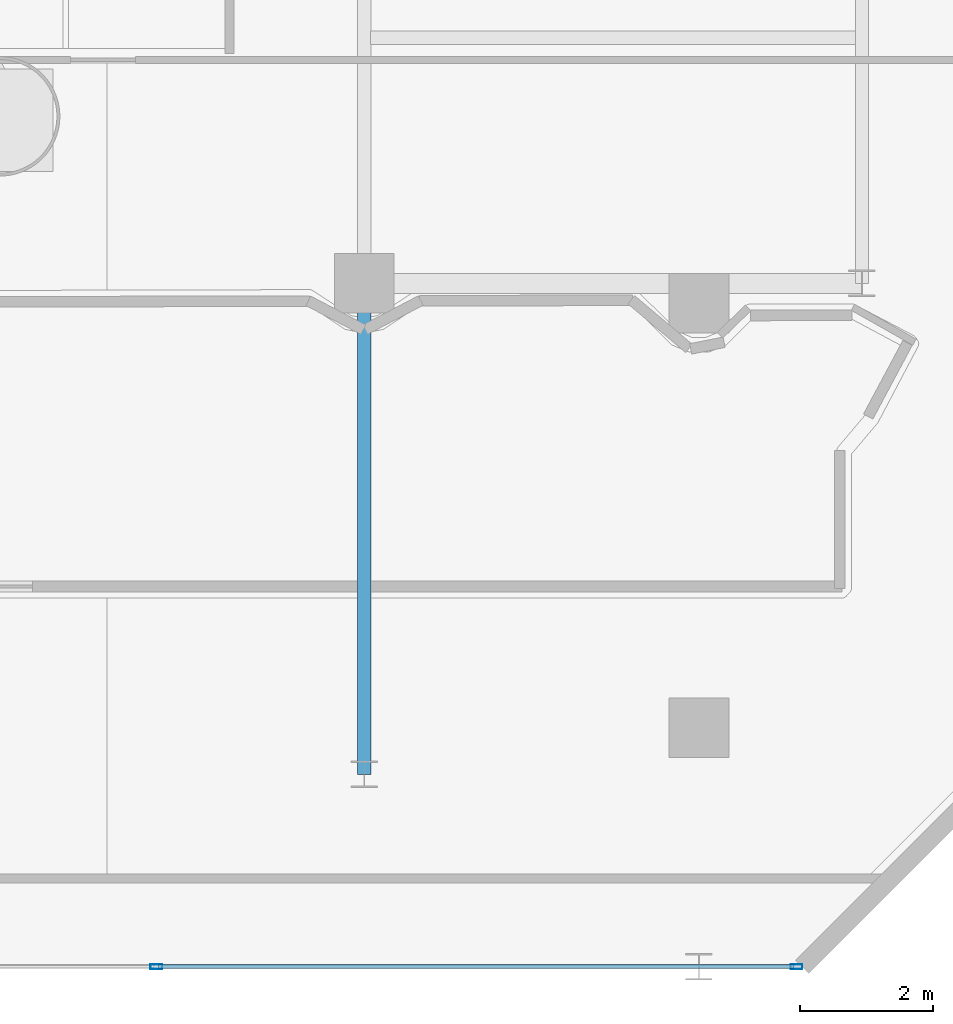
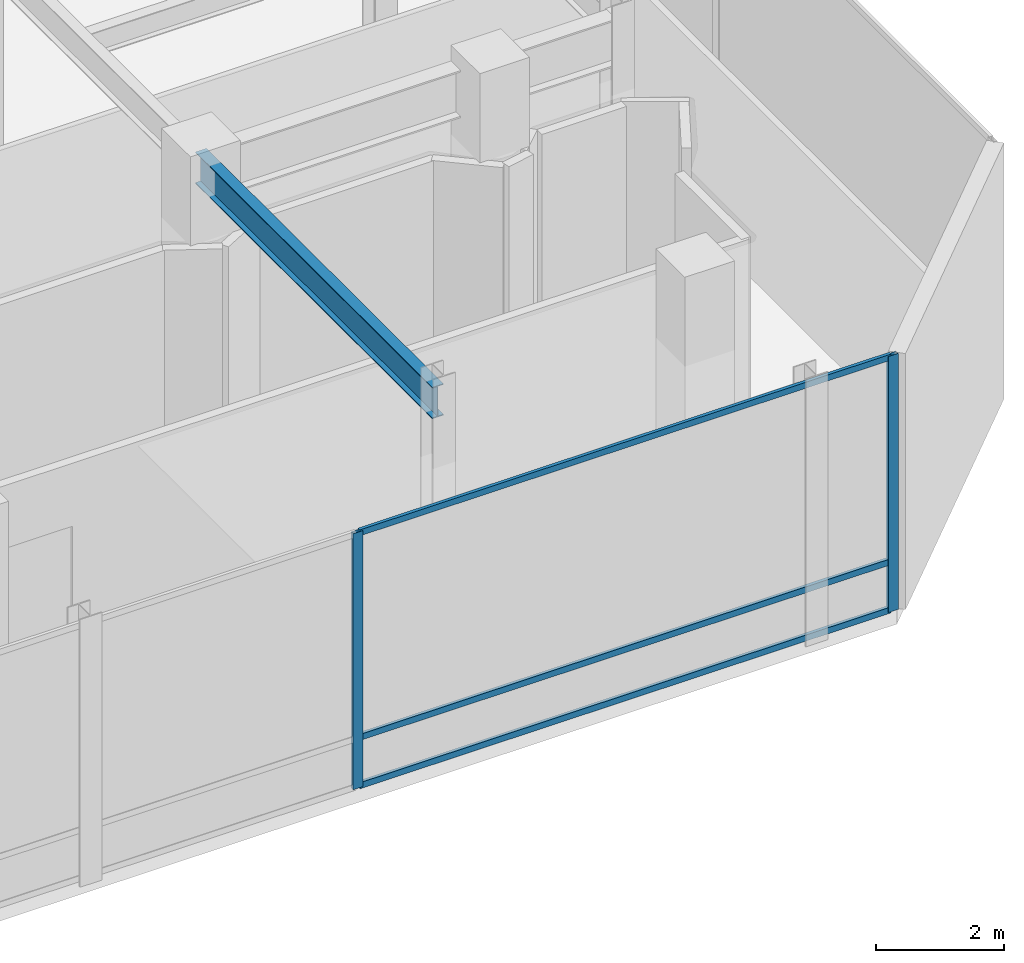
# One storey, part 15 of 40: 5 members, 1 beam, 1 element without a shape of its own.
"""IFC4 building model written with IfcOpenShell, lengths in metres."""

import ifcopenshell
import ifcopenshell.guid

model = None  # the IFC model being written
_history = None  # IfcOwnerHistory: only IFC2X3 demands one
_inside = {}  # id of a spatial element -> (the spatial element, [elements in it])
_under = {}  # id of a project, library or spatial element -> (it, [spatial elements below it])
_declared = {}  # id of a project -> (the project, [libraries it declares])
_typed = {}  # id of a type object -> (the type object, [elements of that type])
_made_of = {}  # id of a material, layer set ... -> (it, [elements and type objects made of it])


def new_model(schema):
    """Start an empty IFC model of exactly this schema.

    Asked for "IFC4X3", IfcOpenShell would pick the latest addendum, in which some entities
    have other attributes; the version numbers below select the first issue.
    IFC2X3 requires an IfcOwnerHistory on every rooted entity: one is made here for all.
    """
    global model, _history
    if schema == "IFC4X3":
        model = ifcopenshell.file(schema_version=(4, 3, 0, 0))
    else:
        model = ifcopenshell.file(schema=schema)
    _inside.clear()
    _under.clear()
    _declared.clear()
    _typed.clear()
    _made_of.clear()
    _history = None
    if model.schema == "IFC2X3":
        org = make("IfcOrganization", Name="unknown")
        user = make(
            "IfcPersonAndOrganization",
            ThePerson=make("IfcPerson", FamilyName="unknown"),
            TheOrganization=org,
        )
        app = make(
            "IfcApplication",
            ApplicationDeveloper=org,
            Version="unknown",
            ApplicationFullName="unknown",
            ApplicationIdentifier="unknown",
        )
        _history = make(
            "IfcOwnerHistory",
            OwningUser=user,
            OwningApplication=app,
            ChangeAction="ADDED",
            CreationDate=0,
        )
    return model


def make(cls, **values):
    """One entity of the class cls with the attributes given. An attribute that is None is left unset."""
    return model.create_entity(
        cls, **{name: value for name, value in values.items() if value is not None}
    )


def rooted(cls, **values):
    """An entity with a GlobalId (a new one), such as an element, a storey or a relation."""
    return make(cls, GlobalId=ifcopenshell.guid.new(), OwnerHistory=_history, **values)


def si_unit(unit_type, name, prefix=None):
    """IfcSIUnit, for example si_unit("LENGTHUNIT", "METRE", prefix="MILLI")."""
    return make("IfcSIUnit", UnitType=unit_type, Prefix=prefix, Name=name)


def assignment(units):
    """IfcUnitAssignment: the units of a project."""
    return None if units is None else make("IfcUnitAssignment", Units=units)


def point(xyz):
    """IfcCartesianPoint."""
    return None if xyz is None else make("IfcCartesianPoint", Coordinates=xyz)


def direction(xyz):
    """IfcDirection."""
    return None if xyz is None else make("IfcDirection", DirectionRatios=xyz)


def frame(location, z_axis=None, x_axis=None):
    """IfcAxis2Placement3D, a coordinate frame: its origin and axes. An axis left out is left unset."""
    return make(
        "IfcAxis2Placement3D",
        Location=point(location),
        Axis=direction(z_axis),
        RefDirection=direction(x_axis),
    )


def frame_2d(location, x_axis=None):
    """IfcAxis2Placement2D, a coordinate frame in the plane: its origin and x axis."""
    return make(
        "IfcAxis2Placement2D", Location=point(location), RefDirection=direction(x_axis)
    )


def origin():
    """The frame at (0, 0, 0) with its axes left unset."""
    return frame((0.0, 0.0, 0.0))


def origin_2d():
    """The frame at (0, 0) in the plane with its x axis left unset."""
    return frame_2d((0.0, 0.0))


def place(relative_to, where):
    """IfcLocalPlacement: puts the frame where relative to a parent placement (None: the world)."""
    return make(
        "IfcLocalPlacement", PlacementRelTo=relative_to, RelativePlacement=where
    )


def context(
    kind, dimensions, precision=None, world=None, true_north=None, identifier=None
):
    """IfcGeometricRepresentationContext, for example the 3D "Model" context."""
    return make(
        "IfcGeometricRepresentationContext",
        ContextIdentifier=identifier,
        ContextType=kind,
        CoordinateSpaceDimension=dimensions,
        Precision=precision,
        WorldCoordinateSystem=world,
        TrueNorth=true_north,
    )


def subcontext(parent, identifier, kind, view, scale=None):
    """IfcGeometricRepresentationSubContext, for example "Body" below "Model"."""
    return make(
        "IfcGeometricRepresentationSubContext",
        ContextIdentifier=identifier,
        ContextType=kind,
        ParentContext=parent,
        TargetScale=scale,
        TargetView=view,
    )


def project(units=None, contexts=None):
    """IfcProject with its units and contexts."""
    return rooted(
        "IfcProject",
        Name="project",
        RepresentationContexts=contexts,
        UnitsInContext=assignment(units),
    )


def spatial(cls, under=None, at=None, **own):
    """A site, building, storey or space (cls), placed at a placement, below another one or the project."""
    s = rooted(cls, ObjectPlacement=at, **own)
    if under is not None:
        _under.setdefault(under.id(), (under, []))[1].append(s)
    return s


def profile(cls, at=None, kind="AREA", **sizes):
    """A parametric profile (cls). Its sizes go by their IFC names, for example OverallWidth=200.0."""
    return make(cls, ProfileType=kind, Position=at, **sizes)


def hollow_rectangle(**sizes):
    """IfcRectangleHollowProfileDef."""
    return profile("IfcRectangleHollowProfileDef", **sizes)


def i_section(**sizes):
    """IfcIShapeProfileDef."""
    return profile("IfcIShapeProfileDef", **sizes)


def extrude(swept, where, along, depth):
    """IfcExtrudedAreaSolid: the profile swept, set in the frame where, extruded along a direction by depth."""
    return make(
        "IfcExtrudedAreaSolid",
        SweptArea=swept,
        Position=where,
        ExtrudedDirection=direction(along),
        Depth=depth,
    )


def shape(context_of_items, identifier, shape_type, items):
    """IfcShapeRepresentation: the items that make up one representation, for example the "Body"."""
    return make(
        "IfcShapeRepresentation",
        ContextOfItems=context_of_items,
        RepresentationIdentifier=identifier,
        RepresentationType=shape_type,
        Items=items,
    )


def material(Name=None, Category=None):
    """IfcMaterial."""
    return make("IfcMaterial", Name=Name, Category=Category)


def layer(
    of_material, thickness, ventilated=None, Name=None, Category=None, Priority=None
):
    """IfcMaterialLayer: one layer of a wall or slab, of a material (None: an air gap)."""
    return make(
        "IfcMaterialLayer",
        Material=of_material,
        LayerThickness=thickness,
        IsVentilated=ventilated,
        Name=Name,
        Category=Category,
        Priority=Priority,
    )


def layer_set(layers, Name=None):
    """IfcMaterialLayerSet."""
    return make("IfcMaterialLayerSet", MaterialLayers=layers, LayerSetName=Name)


def material_profile(
    of_material, cross_section, Name=None, Category=None, Priority=None
):
    """IfcMaterialProfile: a cross section and its material."""
    return make(
        "IfcMaterialProfile",
        Name=Name,
        Material=of_material,
        Profile=cross_section,
        Priority=Priority,
        Category=Category,
    )


def profile_set(profiles, Name=None, composite=None):
    """IfcMaterialProfileSet."""
    return make(
        "IfcMaterialProfileSet",
        Name=Name,
        MaterialProfiles=profiles,
        CompositeProfile=composite,
    )


def made_of(thing, what):
    """Note that an element or type object is made of a material, layer set ...; save() writes the relation."""
    if what is not None:
        _made_of.setdefault(what.id(), (what, []))[1].append(thing)
    return thing


def type_object(cls, material=None, **own):
    """A type object (cls), such as IfcWallType, which elements share."""
    return made_of(rooted(cls, **own), material)


def element(
    cls,
    number,
    at=None,
    inside=None,
    cuts=None,
    type_object=None,
    material=None,
    context=None,
    identifier="Body",
    shape_type=None,
    held_by="IfcProductDefinitionShape",
    body=None,
    shapes=None,
    **own,
):
    """One element of the class cls, such as IfcWall. Its Tag is "e" and its number.

    at: its placement. inside: the storey or other place that contains it. cuts: it is an
    opening in that element (IfcRelVoidsElement). A single representation is given by context,
    identifier, shape_type and body (its items); several are given by shapes. held_by: the class
    of the entity that holds the representations. save() writes the other relations.
    """
    e = rooted(cls, Tag="e%d" % number, ObjectPlacement=at, **own)
    if body is not None:
        shapes = [shape(context, identifier, shape_type, body)]
    if shapes is not None:
        e.Representation = make(held_by, Representations=shapes)
    if inside is not None:
        _inside.setdefault(inside.id(), (inside, []))[1].append(e)
    if cuts is not None:
        rooted(
            "IfcRelVoidsElement", RelatingBuildingElement=cuts, RelatedOpeningElement=e
        )
    if type_object is not None:
        _typed.setdefault(type_object.id(), (type_object, []))[1].append(e)
    return made_of(e, material)


def aggregate(whole, parts):
    """IfcRelAggregates: a whole, such as a stair, and the parts it consists of."""
    return rooted("IfcRelAggregates", RelatingObject=whole, RelatedObjects=parts)


def save(model, path):
    """Write the relations noted so far, then the file.

    IfcRelAggregates (storeys below a building ...), IfcRelContainedInSpatialStructure (elements
    in a storey), IfcRelDefinesByType, IfcRelAssociatesMaterial and IfcRelDeclares: one each for
    every whole, place, type object, material and project.
    """
    for whole, parts in _under.values():
        aggregate(whole, parts)
    for where, things in _inside.values():
        rooted(
            "IfcRelContainedInSpatialStructure",
            RelatedElements=things,
            RelatingStructure=where,
        )
    for kind, things in _typed.values():
        rooted("IfcRelDefinesByType", RelatedObjects=things, RelatingType=kind)
    for what, things in _made_of.values():
        rooted("IfcRelAssociatesMaterial", RelatedObjects=things, RelatingMaterial=what)
    for by, libraries in _declared.values():
        rooted("IfcRelDeclares", RelatingContext=by, RelatedDefinitions=libraries)
    model.write(path)


model = new_model("IFC4")

# Units and contexts
model_context = context("Model", 3, precision=1e-05, world=origin(), true_north=direction((0.0, 1.0)))
body_context = subcontext(model_context, "Body", "Model", "MODEL_VIEW")
ifc_project = project(units=[si_unit("LENGTHUNIT", "METRE"), si_unit("AREAUNIT", "SQUARE_METRE"), si_unit("VOLUMEUNIT", "CUBIC_METRE"), si_unit("PLANEANGLEUNIT", "RADIAN"), si_unit("MASSUNIT", "GRAM", prefix="KILO")], contexts=[model_context])

# Site, building, storey
site_placement = place(None, origin())
site = spatial("IfcSite", under=ifc_project, at=site_placement, CompositionType="ELEMENT")
building_placement = place(site_placement, origin())
building = spatial("IfcBuilding", under=site, at=building_placement, Name="Qianvela Tower", CompositionType="ELEMENT")
storey_placement = place(building_placement, frame((0.0, 0.0, 20.60009765625)))
storey = spatial("IfcBuildingStorey", under=building, at=storey_placement, Name="L04", CompositionType="ELEMENT", Elevation=20.60009765625)

# Beam
ifc_material_1 = material(Name="Steel Q355B", Category="steel")
ifc_material_profile_1 = material_profile(ifc_material_1, i_section(OverallWidth=0.199951171875, OverallDepth=0.60009765625, WebThickness=0.010986328125, FlangeThickness=0.01708984375, at=origin_2d()), Name="HN600x200x11x17")
ifc_profile_set_1 = profile_set([ifc_material_profile_1], Name="Steel Q355B")
beam_type = type_object("IfcBeamType", Name="BM-HN600-GIRD", PredefinedType="BEAM", material=ifc_profile_set_1)
beam_placement = place(storey_placement, frame((60.0, 7.39990234375, 4.497802734375), z_axis=(0.0, 1.0, 0.0), x_axis=(-1.0, 0.0, 0.0)))
element("IfcBeam", 1, at=beam_placement, inside=storey, type_object=beam_type, Name="L04 North-South Grid Girder 28", PredefinedType="BEAM", context=body_context, shape_type="SweptSolid", body=[
    extrude(i_section(OverallWidth=0.199951171875, OverallDepth=0.60009765625, WebThickness=0.010986328125, FlangeThickness=0.01708984375, at=origin_2d()), origin(), (0.0, 0.0, 1.0), 7.400146484375),
])

# Curtain wall, members
ifc_material_2 = material(Name="Anodised Architectural Aluminium and Low-E Glass", Category="aluminium")
ifc_layer = layer(ifc_material_2, 0.179931640625)
ifc_layer_set = layer_set([ifc_layer], Name="Anodised Architectural Aluminium and Low-E Glass")
curtain_wall_type = type_object("IfcCurtainWallType", Name="CW-COMMONS", PredefinedType="USERDEFINED", material=ifc_layer_set)
curtain_wall_placement = place(storey_placement, origin())
curtain_wall = element("IfcCurtainWall", 2, at=curtain_wall_placement, inside=storey, type_object=curtain_wall_type, Name="L04 CW-COMMONS Curtain Wall 01", ObjectType="CURTAIN_WALL_SYSTEM", PredefinedType="USERDEFINED")
ifc_material_3 = material(Name="Anodised Architectural Aluminium 6063-T6", Category="aluminium")
ifc_material_profile_2 = material_profile(ifc_material_3, hollow_rectangle(XDim=0.070068359375, YDim=0.179931640625, WallThickness=0.0048828125, at=origin_2d()), Name="ALU-MULL-70x180")
ifc_profile_set_2 = profile_set([ifc_material_profile_2], Name="Anodised Architectural Aluminium 6063-T6")
member_type_1 = type_object("IfcMemberType", Name="CW-COMMONS-MULL", PredefinedType="MULLION", material=ifc_profile_set_2)
member_1_placement = place(storey_placement, frame((56.86669921875, 4.5, 0.0), z_axis=(0.0, 0.0, 1.0), x_axis=(0.0, 1.0, 0.0)))
member_1 = element("IfcMember", 3, at=member_1_placement, type_object=member_type_1, Name="CW-2 mullion 6", PredefinedType="MULLION", context=body_context, shape_type="SweptSolid", body=[
    extrude(hollow_rectangle(XDim=0.070068359375, YDim=0.179931640625, WallThickness=0.0048828125, at=origin_2d()), origin(), (0.0, 0.0, 1.0), 4.8798828125),
])
member_2_placement = place(storey_placement, frame((66.514892578125, 4.5, 0.0), z_axis=(0.0, 0.0, 1.0), x_axis=(0.0, 1.0, 0.0)))
member_2 = element("IfcMember", 4, at=member_2_placement, type_object=member_type_1, Name="CW-2 mullion 7", PredefinedType="MULLION", context=body_context, shape_type="SweptSolid", body=[
    extrude(hollow_rectangle(XDim=0.070068359375, YDim=0.179931640625, WallThickness=0.0048828125, at=origin_2d()), origin(), (0.0, 0.0, 1.0), 4.8798828125),
])
ifc_material_4 = material(Name="Anodised Architectural Aluminium 6063-T6", Category="aluminium")
ifc_material_profile_3 = material_profile(ifc_material_4, hollow_rectangle(XDim=0.06005859375, YDim=0.114990234375, WallThickness=0.00390625, at=origin_2d()), Name="ALU-TRAN-60x115")
ifc_profile_set_3 = profile_set([ifc_material_profile_3], Name="Anodised Architectural Aluminium 6063-T6")
member_type_2 = type_object("IfcMemberType", Name="CW-COMMONS-TRAN", PredefinedType="USERDEFINED", material=ifc_profile_set_3)
member_3_placement = place(storey_placement, frame((56.901611328125, 4.5, 0.02978515625), z_axis=(1.0, 0.0, 0.0), x_axis=(0.0, 1.0, 0.0)))
member_3 = element("IfcMember", 5, at=member_3_placement, type_object=member_type_2, Name="CW-2 transom 6.1", ObjectType="TRANSOM", PredefinedType="USERDEFINED", context=body_context, shape_type="SweptSolid", body=[
    extrude(hollow_rectangle(XDim=0.06005859375, YDim=0.114990234375, WallThickness=0.00390625, at=origin_2d()), origin(), (0.0, 0.0, 1.0), 9.578369140625),
])
member_4_placement = place(storey_placement, frame((56.901611328125, 4.5, 0.949951171875), z_axis=(1.0, 0.0, 0.0), x_axis=(0.0, 1.0, 0.0)))
member_4 = element("IfcMember", 6, at=member_4_placement, type_object=member_type_2, Name="CW-2 transom 6.2", ObjectType="TRANSOM", PredefinedType="USERDEFINED", context=body_context, shape_type="SweptSolid", body=[
    extrude(hollow_rectangle(XDim=0.06005859375, YDim=0.114990234375, WallThickness=0.00390625, at=origin_2d()), origin(), (0.0, 0.0, 1.0), 9.578369140625),
])
member_5_placement = place(storey_placement, frame((56.901611328125, 4.5, 4.849853515625), z_axis=(1.0, 0.0, 0.0), x_axis=(0.0, 1.0, 0.0)))
member_5 = element("IfcMember", 7, at=member_5_placement, type_object=member_type_2, Name="CW-2 transom 6.3", ObjectType="TRANSOM", PredefinedType="USERDEFINED", context=body_context, shape_type="SweptSolid", body=[
    extrude(hollow_rectangle(XDim=0.06005859375, YDim=0.114990234375, WallThickness=0.00390625, at=origin_2d()), origin(), (0.0, 0.0, 1.0), 9.578369140625),
])
aggregate(curtain_wall, [member_1, member_2, member_3, member_4, member_5])

save(model, "model.ifc")
